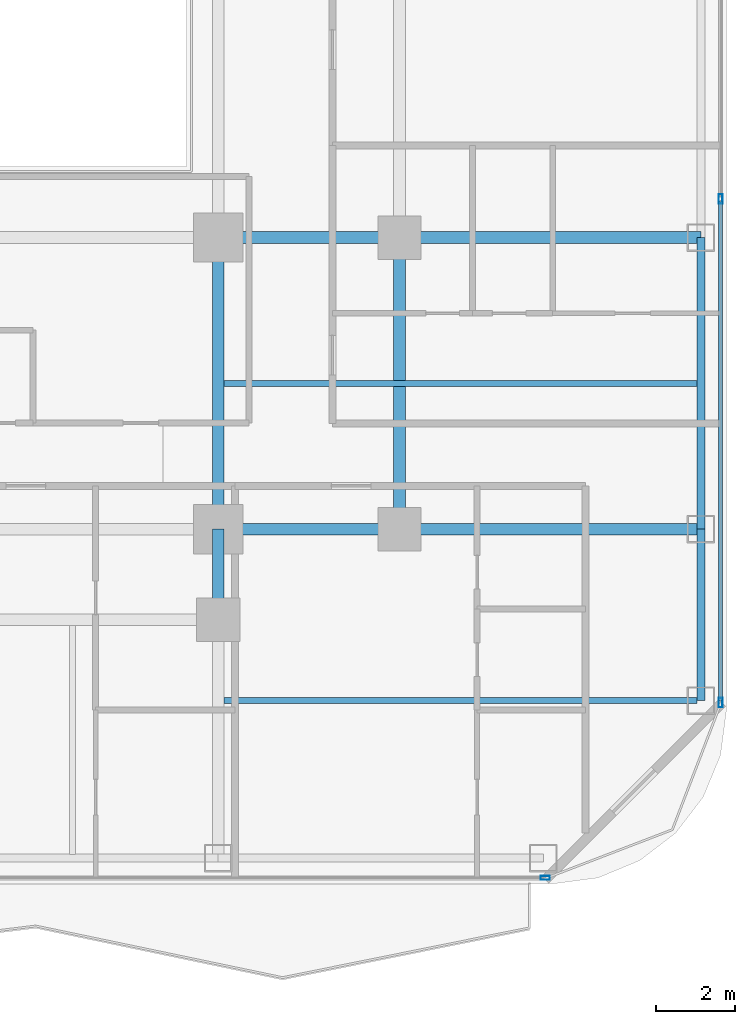
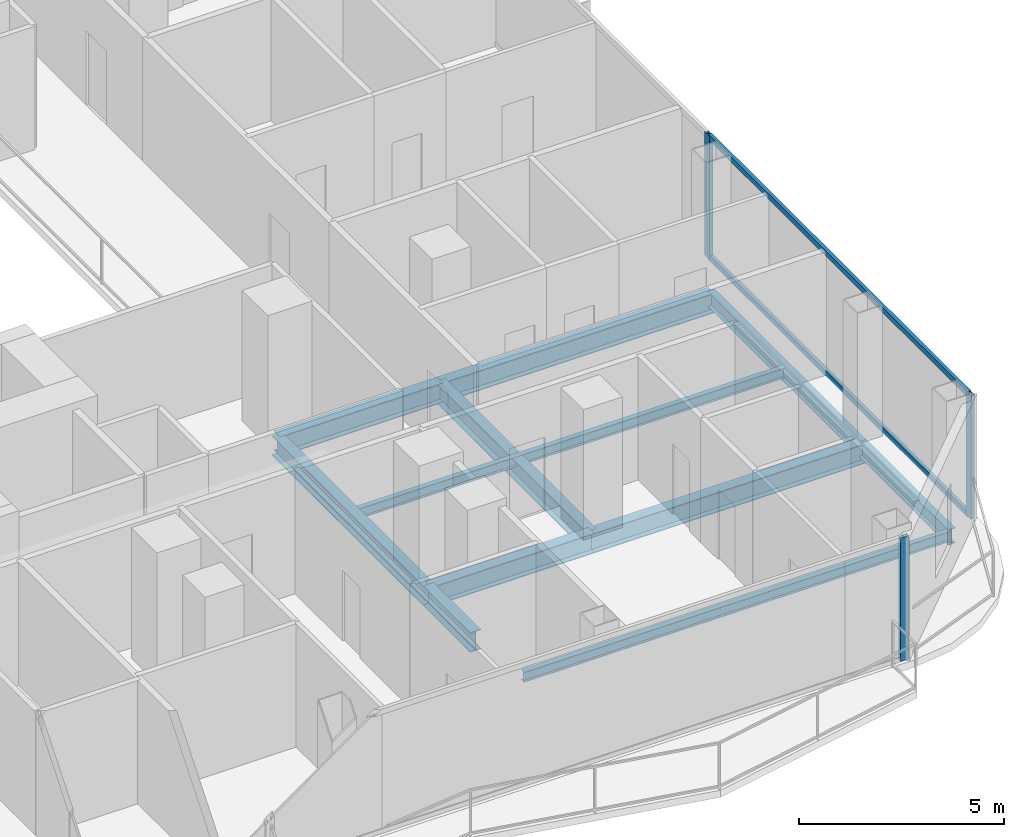
# One storey, part 7 of 29: 11 beams, 5 members, 2 elements without a shape of their own.
"""IFC4 building model written with IfcOpenShell, lengths in metres."""

import ifcopenshell
import ifcopenshell.guid

model = None  # the IFC model being written
_history = None  # IfcOwnerHistory: only IFC2X3 demands one
_inside = {}  # id of a spatial element -> (the spatial element, [elements in it])
_under = {}  # id of a project, library or spatial element -> (it, [spatial elements below it])
_declared = {}  # id of a project -> (the project, [libraries it declares])
_typed = {}  # id of a type object -> (the type object, [elements of that type])
_made_of = {}  # id of a material, layer set ... -> (it, [elements and type objects made of it])


def new_model(schema):
    """Start an empty IFC model of exactly this schema.

    Asked for "IFC4X3", IfcOpenShell would pick the latest addendum, in which some entities
    have other attributes; the version numbers below select the first issue.
    IFC2X3 requires an IfcOwnerHistory on every rooted entity: one is made here for all.
    """
    global model, _history
    if schema == "IFC4X3":
        model = ifcopenshell.file(schema_version=(4, 3, 0, 0))
    else:
        model = ifcopenshell.file(schema=schema)
    _inside.clear()
    _under.clear()
    _declared.clear()
    _typed.clear()
    _made_of.clear()
    _history = None
    if model.schema == "IFC2X3":
        org = make("IfcOrganization", Name="unknown")
        user = make(
            "IfcPersonAndOrganization",
            ThePerson=make("IfcPerson", FamilyName="unknown"),
            TheOrganization=org,
        )
        app = make(
            "IfcApplication",
            ApplicationDeveloper=org,
            Version="unknown",
            ApplicationFullName="unknown",
            ApplicationIdentifier="unknown",
        )
        _history = make(
            "IfcOwnerHistory",
            OwningUser=user,
            OwningApplication=app,
            ChangeAction="ADDED",
            CreationDate=0,
        )
    return model


def make(cls, **values):
    """One entity of the class cls with the attributes given. An attribute that is None is left unset."""
    return model.create_entity(
        cls, **{name: value for name, value in values.items() if value is not None}
    )


def rooted(cls, **values):
    """An entity with a GlobalId (a new one), such as an element, a storey or a relation."""
    return make(cls, GlobalId=ifcopenshell.guid.new(), OwnerHistory=_history, **values)


def si_unit(unit_type, name, prefix=None):
    """IfcSIUnit, for example si_unit("LENGTHUNIT", "METRE", prefix="MILLI")."""
    return make("IfcSIUnit", UnitType=unit_type, Prefix=prefix, Name=name)


def assignment(units):
    """IfcUnitAssignment: the units of a project."""
    return None if units is None else make("IfcUnitAssignment", Units=units)


def point(xyz):
    """IfcCartesianPoint."""
    return None if xyz is None else make("IfcCartesianPoint", Coordinates=xyz)


def direction(xyz):
    """IfcDirection."""
    return None if xyz is None else make("IfcDirection", DirectionRatios=xyz)


def frame(location, z_axis=None, x_axis=None):
    """IfcAxis2Placement3D, a coordinate frame: its origin and axes. An axis left out is left unset."""
    return make(
        "IfcAxis2Placement3D",
        Location=point(location),
        Axis=direction(z_axis),
        RefDirection=direction(x_axis),
    )


def frame_2d(location, x_axis=None):
    """IfcAxis2Placement2D, a coordinate frame in the plane: its origin and x axis."""
    return make(
        "IfcAxis2Placement2D", Location=point(location), RefDirection=direction(x_axis)
    )


def origin():
    """The frame at (0, 0, 0) with its axes left unset."""
    return frame((0.0, 0.0, 0.0))


def origin_2d():
    """The frame at (0, 0) in the plane with its x axis left unset."""
    return frame_2d((0.0, 0.0))


def place(relative_to, where):
    """IfcLocalPlacement: puts the frame where relative to a parent placement (None: the world)."""
    return make(
        "IfcLocalPlacement", PlacementRelTo=relative_to, RelativePlacement=where
    )


def context(
    kind, dimensions, precision=None, world=None, true_north=None, identifier=None
):
    """IfcGeometricRepresentationContext, for example the 3D "Model" context."""
    return make(
        "IfcGeometricRepresentationContext",
        ContextIdentifier=identifier,
        ContextType=kind,
        CoordinateSpaceDimension=dimensions,
        Precision=precision,
        WorldCoordinateSystem=world,
        TrueNorth=true_north,
    )


def subcontext(parent, identifier, kind, view, scale=None):
    """IfcGeometricRepresentationSubContext, for example "Body" below "Model"."""
    return make(
        "IfcGeometricRepresentationSubContext",
        ContextIdentifier=identifier,
        ContextType=kind,
        ParentContext=parent,
        TargetScale=scale,
        TargetView=view,
    )


def project(units=None, contexts=None):
    """IfcProject with its units and contexts."""
    return rooted(
        "IfcProject",
        Name="project",
        RepresentationContexts=contexts,
        UnitsInContext=assignment(units),
    )


def spatial(cls, under=None, at=None, **own):
    """A site, building, storey or space (cls), placed at a placement, below another one or the project."""
    s = rooted(cls, ObjectPlacement=at, **own)
    if under is not None:
        _under.setdefault(under.id(), (under, []))[1].append(s)
    return s


def profile(cls, at=None, kind="AREA", **sizes):
    """A parametric profile (cls). Its sizes go by their IFC names, for example OverallWidth=200.0."""
    return make(cls, ProfileType=kind, Position=at, **sizes)


def hollow_rectangle(**sizes):
    """IfcRectangleHollowProfileDef."""
    return profile("IfcRectangleHollowProfileDef", **sizes)


def i_section(**sizes):
    """IfcIShapeProfileDef."""
    return profile("IfcIShapeProfileDef", **sizes)


def extrude(swept, where, along, depth):
    """IfcExtrudedAreaSolid: the profile swept, set in the frame where, extruded along a direction by depth."""
    return make(
        "IfcExtrudedAreaSolid",
        SweptArea=swept,
        Position=where,
        ExtrudedDirection=direction(along),
        Depth=depth,
    )


def shape(context_of_items, identifier, shape_type, items):
    """IfcShapeRepresentation: the items that make up one representation, for example the "Body"."""
    return make(
        "IfcShapeRepresentation",
        ContextOfItems=context_of_items,
        RepresentationIdentifier=identifier,
        RepresentationType=shape_type,
        Items=items,
    )


def material(Name=None, Category=None):
    """IfcMaterial."""
    return make("IfcMaterial", Name=Name, Category=Category)


def layer(
    of_material, thickness, ventilated=None, Name=None, Category=None, Priority=None
):
    """IfcMaterialLayer: one layer of a wall or slab, of a material (None: an air gap)."""
    return make(
        "IfcMaterialLayer",
        Material=of_material,
        LayerThickness=thickness,
        IsVentilated=ventilated,
        Name=Name,
        Category=Category,
        Priority=Priority,
    )


def layer_set(layers, Name=None):
    """IfcMaterialLayerSet."""
    return make("IfcMaterialLayerSet", MaterialLayers=layers, LayerSetName=Name)


def material_profile(
    of_material, cross_section, Name=None, Category=None, Priority=None
):
    """IfcMaterialProfile: a cross section and its material."""
    return make(
        "IfcMaterialProfile",
        Name=Name,
        Material=of_material,
        Profile=cross_section,
        Priority=Priority,
        Category=Category,
    )


def profile_set(profiles, Name=None, composite=None):
    """IfcMaterialProfileSet."""
    return make(
        "IfcMaterialProfileSet",
        Name=Name,
        MaterialProfiles=profiles,
        CompositeProfile=composite,
    )


def made_of(thing, what):
    """Note that an element or type object is made of a material, layer set ...; save() writes the relation."""
    if what is not None:
        _made_of.setdefault(what.id(), (what, []))[1].append(thing)
    return thing


def type_object(cls, material=None, **own):
    """A type object (cls), such as IfcWallType, which elements share."""
    return made_of(rooted(cls, **own), material)


def element(
    cls,
    number,
    at=None,
    inside=None,
    cuts=None,
    type_object=None,
    material=None,
    context=None,
    identifier="Body",
    shape_type=None,
    held_by="IfcProductDefinitionShape",
    body=None,
    shapes=None,
    **own,
):
    """One element of the class cls, such as IfcWall. Its Tag is "e" and its number.

    at: its placement. inside: the storey or other place that contains it. cuts: it is an
    opening in that element (IfcRelVoidsElement). A single representation is given by context,
    identifier, shape_type and body (its items); several are given by shapes. held_by: the class
    of the entity that holds the representations. save() writes the other relations.
    """
    e = rooted(cls, Tag="e%d" % number, ObjectPlacement=at, **own)
    if body is not None:
        shapes = [shape(context, identifier, shape_type, body)]
    if shapes is not None:
        e.Representation = make(held_by, Representations=shapes)
    if inside is not None:
        _inside.setdefault(inside.id(), (inside, []))[1].append(e)
    if cuts is not None:
        rooted(
            "IfcRelVoidsElement", RelatingBuildingElement=cuts, RelatedOpeningElement=e
        )
    if type_object is not None:
        _typed.setdefault(type_object.id(), (type_object, []))[1].append(e)
    return made_of(e, material)


def aggregate(whole, parts):
    """IfcRelAggregates: a whole, such as a stair, and the parts it consists of."""
    return rooted("IfcRelAggregates", RelatingObject=whole, RelatedObjects=parts)


def save(model, path):
    """Write the relations noted so far, then the file.

    IfcRelAggregates (storeys below a building ...), IfcRelContainedInSpatialStructure (elements
    in a storey), IfcRelDefinesByType, IfcRelAssociatesMaterial and IfcRelDeclares: one each for
    every whole, place, type object, material and project.
    """
    for whole, parts in _under.values():
        aggregate(whole, parts)
    for where, things in _inside.values():
        rooted(
            "IfcRelContainedInSpatialStructure",
            RelatedElements=things,
            RelatingStructure=where,
        )
    for kind, things in _typed.values():
        rooted("IfcRelDefinesByType", RelatedObjects=things, RelatingType=kind)
    for what, things in _made_of.values():
        rooted("IfcRelAssociatesMaterial", RelatedObjects=things, RelatingMaterial=what)
    for by, libraries in _declared.values():
        rooted("IfcRelDeclares", RelatingContext=by, RelatedDefinitions=libraries)
    model.write(path)


model = new_model("IFC4")

# Units and contexts
model_context = context("Model", 3, precision=1e-05, world=origin(), true_north=direction((0.0, 1.0)))
body_context = subcontext(model_context, "Body", "Model", "MODEL_VIEW")
ifc_project = project(units=[si_unit("LENGTHUNIT", "METRE"), si_unit("AREAUNIT", "SQUARE_METRE"), si_unit("VOLUMEUNIT", "CUBIC_METRE"), si_unit("PLANEANGLEUNIT", "RADIAN"), si_unit("MASSUNIT", "GRAM", prefix="KILO")], contexts=[model_context])

# Site, building, storey
site_placement = place(None, origin())
site = spatial("IfcSite", under=ifc_project, at=site_placement, CompositionType="ELEMENT")
building_placement = place(site_placement, origin())
building = spatial("IfcBuilding", under=site, at=building_placement, Name="Khorvyn Point Tower", CompositionType="ELEMENT")
storey_placement = place(building_placement, frame((0.0, 0.0, 144.60009765625)))
storey = spatial("IfcBuildingStorey", under=building, at=storey_placement, Name="L36", CompositionType="ELEMENT", Elevation=144.60009765625)

# Curtain wall, member
ifc_material_1 = material(Name="Anodised aluminium 6063-T6 and laminated Low-E glass", Category="aluminium")
ifc_layer = layer(ifc_material_1, 0.18994140625)
ifc_layer_set = layer_set([ifc_layer], Name="Stick-Built Acoustic Curtain Wall CW-SYS-03")
curtain_wall_type = type_object("IfcCurtainWallType", Name="Stick-Built Acoustic Curtain Wall CW-SYS-03", PredefinedType="NOTDEFINED", material=ifc_layer_set)
curtain_wall_1_placement = place(storey_placement, origin())
curtain_wall_1 = element("IfcCurtainWall", 1, at=curtain_wall_1_placement, inside=storey, type_object=curtain_wall_type, Name="Curtain Wall", PredefinedType="NOTDEFINED")
ifc_material_2 = material(Name="Anodised aluminium 6063-T6", Category="aluminium")
ifc_material_profile_1 = material_profile(ifc_material_2, hollow_rectangle(XDim=0.10009765625, YDim=0.239990234375, WallThickness=0.0048828125, at=origin_2d()))
ifc_profile_set_1 = profile_set([ifc_material_profile_1], Name="Anodised aluminium 6063-T6 ALU-MUL-100x240")
member_type_1 = type_object("IfcMemberType", Name="Anodised Aluminium 6063-T6 Mullion ALU-MUL-100x240", PredefinedType="MULLION", material=ifc_profile_set_1)
member_1_placement = place(storey_placement, frame((23.10009765625, -23.64990234375, 0.0), z_axis=(0.0, 0.0, 1.0), x_axis=(0.0, -1.0, 0.0)))
member_1 = element("IfcMember", 2, at=member_1_placement, type_object=member_type_1, Name="Transom", PredefinedType="MULLION", context=body_context, shape_type="SweptSolid", body=[
    extrude(hollow_rectangle(XDim=0.10009765625, YDim=0.239990234375, WallThickness=0.0048828125, at=origin_2d()), origin(), (0.0, 0.0, 1.0), 3.679931640625),
])
aggregate(curtain_wall_1, [member_1])

# Curtain wall, members
curtain_wall_2_placement = place(storey_placement, origin())
curtain_wall_2 = element("IfcCurtainWall", 3, at=curtain_wall_2_placement, inside=storey, type_object=curtain_wall_type, Name="Curtain Wall", PredefinedType="NOTDEFINED")
member_2_placement = place(storey_placement, frame((27.550048828125, -6.416748046875, 0.0), z_axis=(0.0, 0.0, 1.0), x_axis=(1.0, 0.0, 0.0)))
member_2 = element("IfcMember", 4, at=member_2_placement, type_object=member_type_1, Name="Transom", PredefinedType="MULLION", context=body_context, shape_type="SweptSolid", body=[
    extrude(hollow_rectangle(XDim=0.10009765625, YDim=0.239990234375, WallThickness=0.0048828125, at=origin_2d()), origin(), (0.0, 0.0, 1.0), 3.679931640625),
])
member_3_placement = place(storey_placement, frame((27.550048828125, -19.199951171875, 0.0), z_axis=(0.0, 0.0, 1.0), x_axis=(1.0, 0.0, 0.0)))
member_3 = element("IfcMember", 5, at=member_3_placement, type_object=member_type_1, Name="Transom", PredefinedType="MULLION", context=body_context, shape_type="SweptSolid", body=[
    extrude(hollow_rectangle(XDim=0.10009765625, YDim=0.239990234375, WallThickness=0.0048828125, at=origin_2d()), origin(), (0.0, 0.0, 1.0), 3.679931640625),
])
ifc_material_profile_2 = material_profile(ifc_material_2, hollow_rectangle(XDim=0.10009765625, YDim=0.159912109375, WallThickness=0.00439453125, at=origin_2d()))
ifc_profile_set_2 = profile_set([ifc_material_profile_2], Name="Anodised aluminium 6063-T6 ALU-TRN-100x160")
member_type_2 = type_object("IfcMemberType", Name="Anodised Aluminium 6063-T6 Transom ALU-TRN-100x160", PredefinedType="USERDEFINED", material=ifc_profile_set_2)
member_4_placement = place(storey_placement, frame((27.550048828125, -6.466552734375, 0.0498046875), z_axis=(0.0, -1.0, 0.0), x_axis=(1.0, 0.0, 0.0)))
member_4 = element("IfcMember", 6, at=member_4_placement, type_object=member_type_2, Name="Transom", ObjectType="TRANSOM", PredefinedType="USERDEFINED", context=body_context, shape_type="SweptSolid", body=[
    extrude(hollow_rectangle(XDim=0.10009765625, YDim=0.159912109375, WallThickness=0.00439453125, at=origin_2d()), origin(), (0.0, 0.0, 1.0), 12.683349609375),
])
member_5_placement = place(storey_placement, frame((27.550048828125, -6.466552734375, 3.6298828125), z_axis=(0.0, -1.0, 0.0), x_axis=(1.0, 0.0, 0.0)))
member_5 = element("IfcMember", 7, at=member_5_placement, type_object=member_type_2, Name="Transom", ObjectType="TRANSOM", PredefinedType="USERDEFINED", context=body_context, shape_type="SweptSolid", body=[
    extrude(hollow_rectangle(XDim=0.10009765625, YDim=0.159912109375, WallThickness=0.00439453125, at=origin_2d()), origin(), (0.0, 0.0, 1.0), 12.683349609375),
])
aggregate(curtain_wall_2, [member_2, member_3, member_4, member_5])

# Beams
ifc_material_3 = material(Name="Steel S355", Category="steel")
ifc_material_profile_3 = material_profile(ifc_material_3, i_section(OverallWidth=0.300048828125, OverallDepth=0.587890625, WebThickness=0.011962890625, FlangeThickness=0.02001953125, at=origin_2d()))
ifc_profile_set_3 = profile_set([ifc_material_profile_3], Name="Steel S355 H588x300x12x20")
beam_type_1 = type_object("IfcBeamType", Name="Steel S355 Beam H588x300x12x20", PredefinedType="BEAM", material=ifc_profile_set_3)
beam_1_placement = place(storey_placement, frame((14.800048828125, -14.800048828125, -0.51416015625), z_axis=(1.0, 0.0, 0.0), x_axis=(0.0, 1.0, 0.0)))
element("IfcBeam", 8, at=beam_1_placement, inside=storey, type_object=beam_type_1, Name="Beam", PredefinedType="BEAM", context=body_context, shape_type="SweptSolid", body=[
    extrude(i_section(OverallWidth=0.300048828125, OverallDepth=0.587890625, WebThickness=0.011962890625, FlangeThickness=0.02001953125, at=origin_2d()), origin(), (0.0, 0.0, 1.0), 4.599853515625),
])
beam_2_placement = place(storey_placement, frame((19.39990234375, -14.800048828125, -0.51416015625), z_axis=(1.0, 0.0, 0.0), x_axis=(0.0, 1.0, 0.0)))
element("IfcBeam", 9, at=beam_2_placement, inside=storey, type_object=beam_type_1, Name="Beam", PredefinedType="BEAM", context=body_context, shape_type="SweptSolid", body=[
    extrude(i_section(OverallWidth=0.300048828125, OverallDepth=0.587890625, WebThickness=0.011962890625, FlangeThickness=0.02001953125, at=origin_2d()), origin(), (0.0, 0.0, 1.0), 7.650146484375),
])
beam_3_placement = place(storey_placement, frame((14.800048828125, -7.39990234375, -0.51416015625), z_axis=(1.0, 0.0, 0.0), x_axis=(0.0, 1.0, 0.0)))
element("IfcBeam", 10, at=beam_3_placement, inside=storey, type_object=beam_type_1, Name="Beam", PredefinedType="BEAM", context=body_context, shape_type="SweptSolid", body=[
    extrude(i_section(OverallWidth=0.300048828125, OverallDepth=0.587890625, WebThickness=0.011962890625, FlangeThickness=0.02001953125, at=origin_2d()), origin(), (0.0, 0.0, 1.0), 4.599853515625),
])
beam_4_placement = place(storey_placement, frame((19.39990234375, -7.39990234375, -0.51416015625), z_axis=(1.0, 0.0, 0.0), x_axis=(0.0, 1.0, 0.0)))
element("IfcBeam", 11, at=beam_4_placement, inside=storey, type_object=beam_type_1, Name="Beam", PredefinedType="BEAM", context=body_context, shape_type="SweptSolid", body=[
    extrude(i_section(OverallWidth=0.300048828125, OverallDepth=0.587890625, WebThickness=0.011962890625, FlangeThickness=0.02001953125, at=origin_2d()), origin(), (0.0, 0.0, 1.0), 7.650146484375),
])
beam_5_placement = place(storey_placement, frame((14.800048828125, -17.10009765625, -0.51416015625), z_axis=(0.0, 1.0, 0.0), x_axis=(-1.0, 0.0, 0.0)))
element("IfcBeam", 12, at=beam_5_placement, inside=storey, type_object=beam_type_1, Name="Beam", PredefinedType="BEAM", context=body_context, shape_type="SweptSolid", body=[
    extrude(i_section(OverallWidth=0.300048828125, OverallDepth=0.587890625, WebThickness=0.011962890625, FlangeThickness=0.02001953125, at=origin_2d()), origin(), (0.0, 0.0, 1.0), 2.300048828125),
])
for number, where, z_axis, x_axis, name in (
    (13, (14.800048828125, -14.800048828125, -0.51416015625), (0.0, 1.0, 0.0), (-1.0, 0.0, 0.0), "Beam"),
    (14, (19.39990234375, -14.800048828125, -0.51416015625), (0.0, 1.0, 0.0), (-1.0, 0.0, 0.0), "Beam"),
):
    element("IfcBeam", number, at=place(storey_placement, frame(where, z_axis=z_axis, x_axis=x_axis)), inside=storey, type_object=beam_type_1, Name=name, PredefinedType="BEAM", context=body_context, shape_type="SweptSolid", body=[
        extrude(i_section(OverallWidth=0.300048828125, OverallDepth=0.587890625, WebThickness=0.011962890625, FlangeThickness=0.02001953125, at=origin_2d()), origin(), (0.0, 0.0, 1.0), 7.400146484375),
    ])
ifc_material_profile_4 = material_profile(ifc_material_3, i_section(OverallWidth=0.14990234375, OverallDepth=0.300048828125, WebThickness=0.006591796875, FlangeThickness=0.009033203125, at=origin_2d()))
ifc_profile_set_4 = profile_set([ifc_material_profile_4], Name="Steel S355 H300x150x6.5x9")
beam_type_2 = type_object("IfcBeamType", Name="Steel S355 Joist H300x150x6.5x9", PredefinedType="JOIST", material=ifc_profile_set_4)
for number, where, z_axis, x_axis, name in (
    (15, (14.949951171875, -11.10009765625, -0.3701171875), (1.0, 0.0, 0.0), (0.0, 1.0, 0.0), "Beam"),
    (16, (14.949951171875, -19.14990234375, -0.3701171875), (1.0, 0.0, 0.0), (0.0, 1.0, 0.0), "Beam"),
):
    element("IfcBeam", number, at=place(storey_placement, frame(where, z_axis=z_axis, x_axis=x_axis)), inside=storey, type_object=beam_type_2, Name=name, PredefinedType="JOIST", context=body_context, shape_type="SweptSolid", body=[
        extrude(i_section(OverallWidth=0.14990234375, OverallDepth=0.300048828125, WebThickness=0.006591796875, FlangeThickness=0.009033203125, at=origin_2d()), origin(), (0.0, 0.0, 1.0), 12.0),
    ])
ifc_material_profile_5 = material_profile(ifc_material_3, i_section(OverallWidth=0.199951171875, OverallDepth=0.449951171875, WebThickness=0.009033203125, FlangeThickness=0.013916015625, at=origin_2d()))
ifc_profile_set_5 = profile_set([ifc_material_profile_5], Name="Steel S355 H450x200x9x14")
beam_type_3 = type_object("IfcBeamType", Name="Steel S355 Spandrel H450x200x9x14", PredefinedType="SPANDREL", material=ifc_profile_set_5)
beam_6_placement = place(storey_placement, frame((27.050048828125, -19.14990234375, -0.445068359375), z_axis=(0.0, 1.0, 0.0), x_axis=(-1.0, 0.0, 0.0)))
element("IfcBeam", 17, at=beam_6_placement, inside=storey, type_object=beam_type_3, Name="Beam", PredefinedType="SPANDREL", context=body_context, shape_type="SweptSolid", body=[
    extrude(i_section(OverallWidth=0.199951171875, OverallDepth=0.449951171875, WebThickness=0.009033203125, FlangeThickness=0.013916015625, at=origin_2d()), origin(), (0.0, 0.0, 1.0), 4.349853515625),
])
beam_7_placement = place(storey_placement, frame((27.050048828125, -14.800048828125, -0.445068359375), z_axis=(0.0, 1.0, 0.0), x_axis=(-1.0, 0.0, 0.0)))
element("IfcBeam", 18, at=beam_7_placement, inside=storey, type_object=beam_type_3, Name="Beam", PredefinedType="SPANDREL", context=body_context, shape_type="SweptSolid", body=[
    extrude(i_section(OverallWidth=0.199951171875, OverallDepth=0.449951171875, WebThickness=0.009033203125, FlangeThickness=0.013916015625, at=origin_2d()), origin(), (0.0, 0.0, 1.0), 7.400146484375),
])

save(model, "model.ifc")
